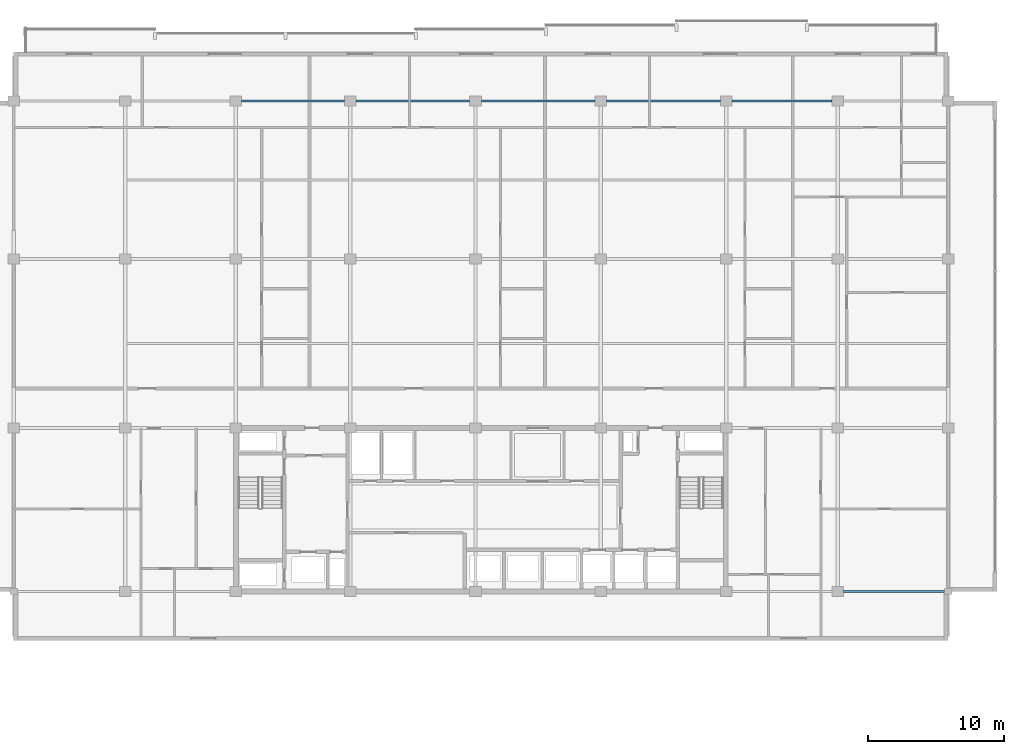
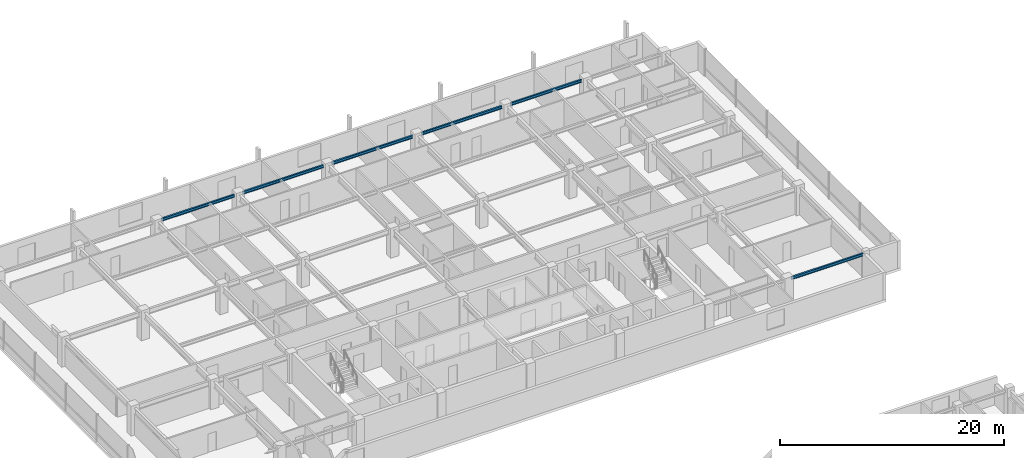
# One storey, part 11 of 32: 6 beams.
"""IFC4 building model written with IfcOpenShell, lengths in metres."""

from ifc_helpers import new_model, si_unit, direction, frame, origin, origin_2d, place, context, subcontext, project, spatial, i_section, extrude, material, material_profile, profile_set, type_object, element, save


model = new_model("IFC4")

# Units and contexts
model_context = context("Model", 3, precision=1e-05, world=origin(), true_north=direction((0.0, 1.0)))
body_context = subcontext(model_context, "Body", "Model", "MODEL_VIEW")
ifc_project = project(units=[si_unit("LENGTHUNIT", "METRE"), si_unit("AREAUNIT", "SQUARE_METRE"), si_unit("VOLUMEUNIT", "CUBIC_METRE"), si_unit("PLANEANGLEUNIT", "RADIAN"), si_unit("MASSUNIT", "GRAM", prefix="KILO")], contexts=[model_context])

# Site, building, storey
site_placement = place(None, origin())
site = spatial("IfcSite", under=ifc_project, at=site_placement, CompositionType="ELEMENT")
building_placement = place(site_placement, origin())
building = spatial("IfcBuilding", under=site, at=building_placement, Name="Korimba Cascade Residences", CompositionType="ELEMENT")
storey_placement = place(building_placement, frame((0.0, 0.0, 178.35009765625)))
storey = spatial("IfcBuildingStorey", under=building, at=storey_placement, Name="L51", CompositionType="ELEMENT", Elevation=178.35009765625)

# Beams
ifc_material = material(Name="Steel S355", Category="steel")
ifc_material_profile = material_profile(ifc_material, i_section(OverallWidth=0.165771484375, OverallDepth=0.306640625, WebThickness=0.006591796875, FlangeThickness=0.01171875, FilletRadius=0.0087890625, at=origin_2d()), Name="Steel S355")
ifc_profile_set = profile_set([ifc_material_profile], Name="Steel S355")
beam_type = type_object("IfcBeamType", Name="BM-STL-UB305", PredefinedType="SPANDREL", material=ifc_profile_set)
beam_1_placement = place(storey_placement, frame((120.72509765625, 55.199951171875, 2.816650390625), z_axis=(1.0, 0.0, 0.0), x_axis=(0.0, 1.0, 0.0)))
element("IfcBeam", 1, at=beam_1_placement, inside=storey, type_object=beam_type, Name="L51 T1 E-W Girder Y1 Bay 8", PredefinedType="SPANDREL", context=body_context, shape_type="SweptSolid", body=[
    extrude(i_section(OverallWidth=0.165771484375, OverallDepth=0.306640625, WebThickness=0.006591796875, FlangeThickness=0.01171875, FilletRadius=0.0087890625, at=origin_2d()), origin(), (0.0, 0.0, 1.0), 7.39990234375),
])
beam_2_placement = place(storey_placement, frame((76.52490234375, 91.199951171875, 2.816650390625), z_axis=(1.0, 0.0, 0.0), x_axis=(0.0, 1.0, 0.0)))
element("IfcBeam", 2, at=beam_2_placement, inside=storey, type_object=beam_type, Name="L51 T1 E-W Girder Y4 Bay 3", PredefinedType="SPANDREL", context=body_context, shape_type="SweptSolid", body=[
    extrude(i_section(OverallWidth=0.165771484375, OverallDepth=0.306640625, WebThickness=0.006591796875, FlangeThickness=0.01171875, FilletRadius=0.0087890625, at=origin_2d()), origin(), (0.0, 0.0, 1.0), 7.550048828125),
])
beam_3_placement = place(storey_placement, frame((84.925048828125, 91.199951171875, 2.816650390625), z_axis=(1.0, 0.0, 0.0), x_axis=(0.0, 1.0, 0.0)))
element("IfcBeam", 3, at=beam_3_placement, inside=storey, type_object=beam_type, Name="L51 T1 E-W Girder Y4 Bay 4", PredefinedType="SPANDREL", context=body_context, shape_type="SweptSolid", body=[
    extrude(i_section(OverallWidth=0.165771484375, OverallDepth=0.306640625, WebThickness=0.006591796875, FlangeThickness=0.01171875, FilletRadius=0.0087890625, at=origin_2d()), origin(), (0.0, 0.0, 1.0), 8.349853515625),
])
for number, where, z_axis, x_axis, name in (
    (4, (94.125, 91.199951171875, 2.816650390625), (1.0, 0.0, 0.0), (0.0, 1.0, 0.0), "L51 T1 E-W Girder Y4 Bay 5"),
    (5, (103.324951171875, 91.199951171875, 2.816650390625), (1.0, 0.0, 0.0), (0.0, 1.0, 0.0), "L51 T1 E-W Girder Y4 Bay 6"),
):
    element("IfcBeam", number, at=place(storey_placement, frame(where, z_axis=z_axis, x_axis=x_axis)), inside=storey, type_object=beam_type, Name=name, PredefinedType="SPANDREL", context=body_context, shape_type="SweptSolid", body=[
        extrude(i_section(OverallWidth=0.165771484375, OverallDepth=0.306640625, WebThickness=0.006591796875, FlangeThickness=0.01171875, FilletRadius=0.0087890625, at=origin_2d()), origin(), (0.0, 0.0, 1.0), 8.35009765625),
    ])
beam_4_placement = place(storey_placement, frame((112.52490234375, 91.199951171875, 2.816650390625), z_axis=(1.0, 0.0, 0.0), x_axis=(0.0, 1.0, 0.0)))
element("IfcBeam", 6, at=beam_4_placement, inside=storey, type_object=beam_type, Name="L51 T1 E-W Girder Y4 Bay 7", PredefinedType="SPANDREL", context=body_context, shape_type="SweptSolid", body=[
    extrude(i_section(OverallWidth=0.165771484375, OverallDepth=0.306640625, WebThickness=0.006591796875, FlangeThickness=0.01171875, FilletRadius=0.0087890625, at=origin_2d()), origin(), (0.0, 0.0, 1.0), 7.35009765625),
])

save(model, "model.ifc")
